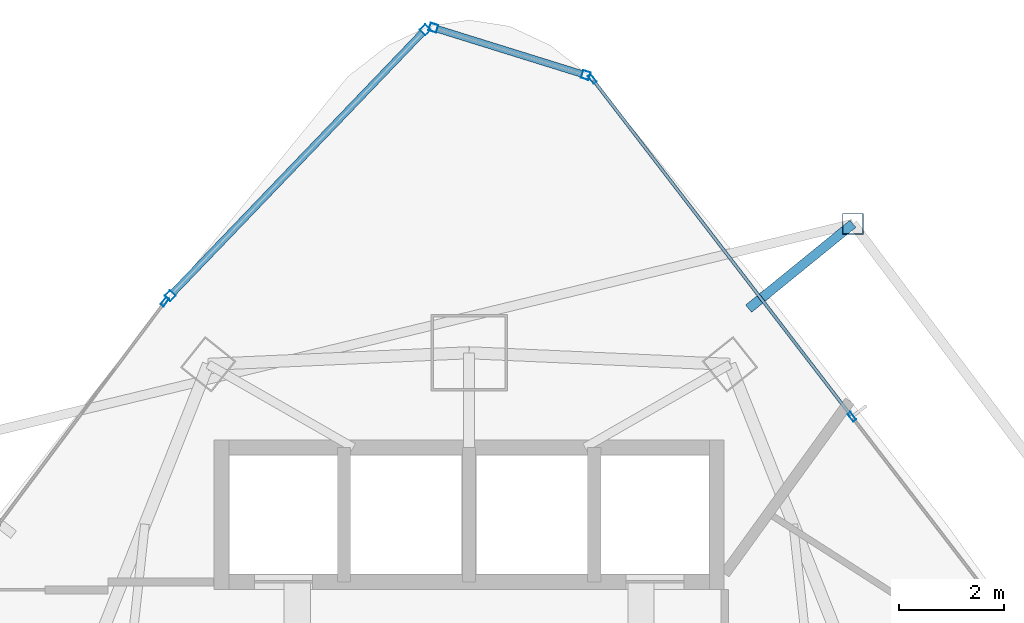
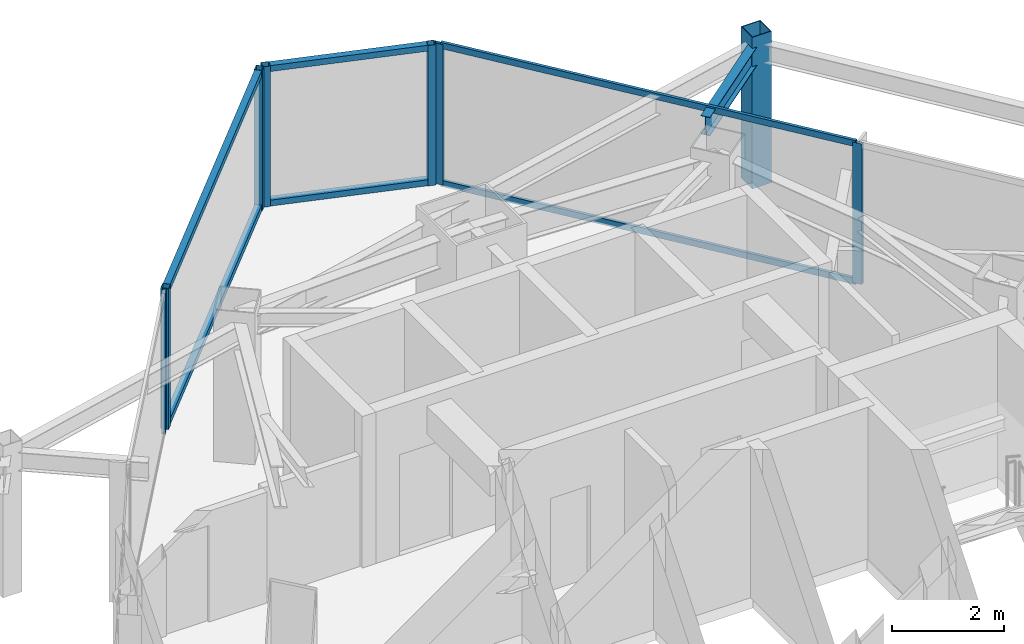
# One storey, part 21 of 29: 14 members, 1 beam, 4 elements without a shape of their own.
"""IFC4 building model written with IfcOpenShell, lengths in metres."""

from ifc_helpers import new_model, si_unit, direction, frame, origin, origin_2d, place, context, subcontext, project, spatial, hollow_rectangle, i_section, extrude, material, layer, layer_set, material_profile, profile_set, type_object, element, aggregate, save


model = new_model("IFC4")

# Units and contexts
model_context = context("Model", 3, precision=1e-05, world=origin(), true_north=direction((0.0, 1.0)))
body_context = subcontext(model_context, "Body", "Model", "MODEL_VIEW")
ifc_project = project(units=[si_unit("LENGTHUNIT", "METRE"), si_unit("AREAUNIT", "SQUARE_METRE"), si_unit("VOLUMEUNIT", "CUBIC_METRE"), si_unit("PLANEANGLEUNIT", "RADIAN"), si_unit("MASSUNIT", "GRAM", prefix="KILO")], contexts=[model_context])

# Site, building, storey
site_placement = place(None, origin())
site = spatial("IfcSite", under=ifc_project, at=site_placement, CompositionType="ELEMENT")
building_placement = place(site_placement, origin())
building = spatial("IfcBuilding", under=site, at=building_placement, Name="Orvanel Arch Residences", CompositionType="ELEMENT")
storey_placement = place(building_placement, frame((0.0, 0.0, 173.75)))
storey = spatial("IfcBuildingStorey", under=building, at=storey_placement, Name="L49", CompositionType="ELEMENT", Elevation=173.75)

# Curtain wall, members
ifc_material_1 = material(Name="Bronze-anodised aluminium AA6063-T6", Category="aluminium")
ifc_layer_1 = layer(ifc_material_1, 0.18994140625)
ifc_layer_set_1 = layer_set([ifc_layer_1], Name="Bronze-anodised aluminium AA6063-T6")
curtain_wall_type_1 = type_object("IfcCurtainWallType", Name="CW5-CRN-SYS", PredefinedType="NOTDEFINED", material=ifc_layer_set_1)
curtain_wall_1_placement = place(storey_placement, origin())
curtain_wall_1 = element("IfcCurtainWall", 1, at=curtain_wall_1_placement, inside=storey, type_object=curtain_wall_type_1, Name="L49 CW5-CRN-SYS Unitised Curtain Wall", PredefinedType="NOTDEFINED")
ifc_material_profile_1 = material_profile(ifc_material_1, hollow_rectangle(XDim=0.14990234375, YDim=0.14990234375, WallThickness=0.0048828125, at=origin_2d()), Name="ALU150x150x5")
ifc_profile_set_1 = profile_set([ifc_material_profile_1], Name="Bronze-anodised aluminium AA6063-T6")
member_type_1 = type_object("IfcMemberType", Name="MUL-150x150", PredefinedType="MULLION", material=ifc_profile_set_1)
member_1_placement = place(storey_placement, frame((35.21337890625, 46.665283203125, 0.0), z_axis=(0.0, 0.0, 1.0), x_axis=(-0.29709205857, -0.954848840778, 0.0)))
member_1 = element("IfcMember", 2, at=member_1_placement, type_object=member_type_1, Name="CW-S5 mullion 1", PredefinedType="MULLION", context=body_context, shape_type="SweptSolid", body=[
    extrude(hollow_rectangle(XDim=0.14990234375, YDim=0.14990234375, WallThickness=0.0048828125, at=origin_2d()), origin(), (0.0, 0.0, 1.0), 3.06005859375),
])
member_2_placement = place(storey_placement, frame((32.322509765625, 47.564697265625, 0.0), z_axis=(0.0, 0.0, 1.0), x_axis=(-0.29709205857, -0.954848840778, 0.0)))
member_2 = element("IfcMember", 3, at=member_2_placement, type_object=member_type_1, Name="CW-S5 mullion 2", PredefinedType="MULLION", context=body_context, shape_type="SweptSolid", body=[
    extrude(hollow_rectangle(XDim=0.14990234375, YDim=0.14990234375, WallThickness=0.0048828125, at=origin_2d()), origin(), (0.0, 0.0, 1.0), 3.06005859375),
])

curtain_wall_2_placement = place(storey_placement, origin())
curtain_wall_2 = element("IfcCurtainWall", 4, at=curtain_wall_2_placement, inside=storey, type_object=curtain_wall_type_1, Name="L49 CW5-CRN-SYS Unitised Curtain Wall", PredefinedType="NOTDEFINED")
member_3_placement = place(storey_placement, frame((32.166015625, 47.52490234375, 0.0), z_axis=(0.0, 0.0, 1.0), x_axis=(0.721655878647, -0.692251972055, 0.0)))
member_3 = element("IfcMember", 5, at=member_3_placement, type_object=member_type_1, Name="CW-S5 mullion 1", PredefinedType="MULLION", context=body_context, shape_type="SweptSolid", body=[
    extrude(hollow_rectangle(XDim=0.14990234375, YDim=0.14990234375, WallThickness=0.0048828125, at=origin_2d()), origin(), (0.0, 0.0, 1.0), 3.06005859375),
])
member_4_placement = place(storey_placement, frame((27.325927734375, 42.47900390625, 0.0), z_axis=(0.0, 0.0, 1.0), x_axis=(0.721655878647, -0.692251972055, 0.0)))
member_4 = element("IfcMember", 6, at=member_4_placement, type_object=member_type_1, Name="CW-S5 mullion 2", PredefinedType="MULLION", context=body_context, shape_type="SweptSolid", body=[
    extrude(hollow_rectangle(XDim=0.14990234375, YDim=0.14990234375, WallThickness=0.0048828125, at=origin_2d()), origin(), (0.0, 0.0, 1.0), 3.06005859375),
])

# Curtain wall, member
ifc_layer_2 = layer(ifc_material_1, 0.179931640625)
ifc_layer_set_2 = layer_set([ifc_layer_2], Name="Bronze-anodised aluminium AA6063-T6")
curtain_wall_type_2 = type_object("IfcCurtainWallType", Name="CW3-MID-SYS", PredefinedType="NOTDEFINED", material=ifc_layer_set_2)
curtain_wall_3_placement = place(storey_placement, origin())
curtain_wall_3 = element("IfcCurtainWall", 7, at=curtain_wall_3_placement, inside=storey, type_object=curtain_wall_type_2, Name="L49 CW3-MID-SYS Unitised Curtain Wall", PredefinedType="NOTDEFINED")
ifc_material_profile_2 = material_profile(ifc_material_1, hollow_rectangle(XDim=0.070068359375, YDim=0.179931640625, WallThickness=0.00439453125, at=origin_2d()), Name="ALU180x70x4.5")
ifc_profile_set_2 = profile_set([ifc_material_profile_2], Name="Bronze-anodised aluminium AA6063-T6")
member_type_2 = type_object("IfcMemberType", Name="MUL-180x70", PredefinedType="MULLION", material=ifc_profile_set_2)
member_5_placement = place(storey_placement, frame((27.22705078125, 42.366943359375, 0.0), z_axis=(0.0, 0.0, 1.0), x_axis=(0.801287325771, -0.598279718492, 0.0)))
member_5 = element("IfcMember", 8, at=member_5_placement, type_object=member_type_2, Name="CW-S3 mullion 1", PredefinedType="MULLION", context=body_context, shape_type="SweptSolid", body=[
    extrude(hollow_rectangle(XDim=0.070068359375, YDim=0.179931640625, WallThickness=0.00439453125, at=origin_2d()), origin(), (0.0, 0.0, 1.0), 3.06005859375),
])
aggregate(curtain_wall_3, [member_5])

# Curtain wall, members
curtain_wall_4_placement = place(storey_placement, origin())
curtain_wall_4 = element("IfcCurtainWall", 9, at=curtain_wall_4_placement, inside=storey, type_object=curtain_wall_type_2, Name="L49 CW3-MID-SYS Unitised Curtain Wall", PredefinedType="NOTDEFINED")
member_6_placement = place(storey_placement, frame((40.263916015625, 40.181884765625, 0.0), z_axis=(0.0, 0.0, 1.0), x_axis=(-0.792926030176, -0.60931790608, 0.0)))
member_6 = element("IfcMember", 10, at=member_6_placement, type_object=member_type_2, Name="CW-S3 mullion 2", PredefinedType="MULLION", context=body_context, shape_type="SweptSolid", body=[
    extrude(hollow_rectangle(XDim=0.070068359375, YDim=0.179931640625, WallThickness=0.00439453125, at=origin_2d()), origin(), (0.0, 0.0, 1.0), 3.06005859375),
])
member_7_placement = place(storey_placement, frame((35.33740234375, 46.59326171875, 0.0), z_axis=(0.0, 0.0, 1.0), x_axis=(-0.792926030176, -0.60931790608, 0.0)))
member_7 = element("IfcMember", 11, at=member_7_placement, type_object=member_type_2, Name="CW-S3 mullion 3", PredefinedType="MULLION", context=body_context, shape_type="SweptSolid", body=[
    extrude(hollow_rectangle(XDim=0.070068359375, YDim=0.179931640625, WallThickness=0.00439453125, at=origin_2d()), origin(), (0.0, 0.0, 1.0), 3.06005859375),
])

# Beam
ifc_material_2 = material(Name="Structural steel AS/NZS 3679.1 Grade 300 (300 MPa)", Category="steel")
ifc_material_profile_3 = material_profile(ifc_material_2, i_section(OverallWidth=0.177978515625, OverallDepth=0.406005859375, WebThickness=0.0078125, FlangeThickness=0.0126953125, at=origin_2d()), Name="410UB59.7")
ifc_profile_set_3 = profile_set([ifc_material_profile_3], Name="Structural steel AS/NZS 3679.1 Grade 300 (300 MPa)")
beam_type = type_object("IfcBeamType", Name="OB-410UB-EXT", PredefinedType="SPANDREL", material=ifc_profile_set_3)
beam_placement = place(storey_placement, frame((38.303955078125, 42.235107421875, 2.85693359375), z_axis=(0.775779999629, 0.63100348032, 0.0), x_axis=(-0.63100348032, 0.775779999629, 0.0)))
element("IfcBeam", 12, at=beam_placement, inside=storey, type_object=beam_type, Name="L49 Outer Frame Radial Tie Beam 12", PredefinedType="SPANDREL", context=body_context, shape_type="SweptSolid", body=[
    extrude(i_section(OverallWidth=0.177978515625, OverallDepth=0.406005859375, WebThickness=0.0078125, FlangeThickness=0.0126953125, at=origin_2d()), origin(), (0.0, 0.0, 1.0), 2.5498046875),
])

# Member
ifc_material_3 = material(Name="Structural steel AS/NZS 1163 C450L0 (Grade 450)", Category="steel")
ifc_material_profile_4 = material_profile(ifc_material_3, hollow_rectangle(XDim=0.39990234375, YDim=0.39990234375, WallThickness=0.01611328125, at=origin_2d()), Name="SHS400x400x16")
ifc_profile_set_4 = profile_set([ifc_material_profile_4], Name="Structural steel AS/NZS 1163 C450L0 (Grade 450)")
member_type_3 = type_object("IfcMemberType", Name="ST-400SHS-EXT", PredefinedType="STRUT", material=ifc_profile_set_4)
member_8_placement = place(storey_placement, frame((40.281982421875, 43.843994140625, 0.0), z_axis=(0.0, 0.0, 1.0), x_axis=(1.0, 0.0, 0.0)))
element("IfcMember", 13, at=member_8_placement, inside=storey, type_object=member_type_3, Name="L49 Outer Perimeter Frame Post 12", PredefinedType="STRUT", context=body_context, shape_type="SweptSolid", body=[
    extrude(hollow_rectangle(XDim=0.39990234375, YDim=0.39990234375, WallThickness=0.01611328125, at=origin_2d()), origin(), (0.0, 0.0, 1.0), 3.300048828125),
])

ifc_material_profile_5 = material_profile(ifc_material_1, hollow_rectangle(XDim=0.1298828125, YDim=0.1298828125, WallThickness=0.00439453125, at=origin_2d()), Name="ALU130x130x4.5")
ifc_profile_set_5 = profile_set([ifc_material_profile_5], Name="Bronze-anodised aluminium AA6063-T6")
member_type_4 = type_object("IfcMemberType", Name="TRN-130x130", PredefinedType="USERDEFINED", material=ifc_profile_set_5)
member_9_placement = place(storey_placement, frame((35.141845703125, 46.6875, 0.06494140625), z_axis=(-0.954838590876, 0.297124999578, 0.0), x_axis=(-0.297124999578, -0.954838590876, 0.0)))
member_9 = element("IfcMember", 14, at=member_9_placement, type_object=member_type_4, Name="CW-S5 transom 1.1", ObjectType="TRANSOM", PredefinedType="USERDEFINED", context=body_context, shape_type="SweptSolid", body=[
    extrude(hollow_rectangle(XDim=0.1298828125, YDim=0.1298828125, WallThickness=0.00439453125, at=origin_2d()), origin(), (0.0, 0.0, 1.0), 2.87744140625),
])

member_10_placement = place(storey_placement, frame((35.141845703125, 46.6875, 2.9951171875), z_axis=(-0.954838590876, 0.297124999578, 0.0), x_axis=(-0.297124999578, -0.954838590876, 0.0)))
member_10 = element("IfcMember", 15, at=member_10_placement, type_object=member_type_4, Name="CW-S5 transom 1.2", ObjectType="TRANSOM", PredefinedType="USERDEFINED", context=body_context, shape_type="SweptSolid", body=[
    extrude(hollow_rectangle(XDim=0.1298828125, YDim=0.1298828125, WallThickness=0.00439453125, at=origin_2d()), origin(), (0.0, 0.0, 1.0), 2.87744140625),
])

aggregate(curtain_wall_1, [member_1, member_2, member_9, member_10])

member_11_placement = place(storey_placement, frame((32.1142578125, 47.470703125, 0.06494140625), z_axis=(-0.692252491269, -0.721655380589, 0.0), x_axis=(0.721655380589, -0.692252491269, 0.0)))
member_11 = element("IfcMember", 16, at=member_11_placement, type_object=member_type_4, Name="CW-S5 transom 1.1", ObjectType="TRANSOM", PredefinedType="USERDEFINED", context=body_context, shape_type="SweptSolid", body=[
    extrude(hollow_rectangle(XDim=0.1298828125, YDim=0.1298828125, WallThickness=0.00439453125, at=origin_2d()), origin(), (0.0, 0.0, 1.0), 6.841796875),
])

member_12_placement = place(storey_placement, frame((32.1142578125, 47.470703125, 2.9951171875), z_axis=(-0.692252491269, -0.721655380589, 0.0), x_axis=(0.721655380589, -0.692252491269, 0.0)))
member_12 = element("IfcMember", 17, at=member_12_placement, type_object=member_type_4, Name="CW-S5 transom 1.2", ObjectType="TRANSOM", PredefinedType="USERDEFINED", context=body_context, shape_type="SweptSolid", body=[
    extrude(hollow_rectangle(XDim=0.1298828125, YDim=0.1298828125, WallThickness=0.00439453125, at=origin_2d()), origin(), (0.0, 0.0, 1.0), 6.841796875),
])

aggregate(curtain_wall_2, [member_3, member_4, member_11, member_12])

ifc_material_profile_6 = material_profile(ifc_material_1, hollow_rectangle(XDim=0.06005859375, YDim=0.135009765625, WallThickness=0.00390625, at=origin_2d()), Name="ALU135x60x4")
ifc_profile_set_6 = profile_set([ifc_material_profile_6], Name="Bronze-anodised aluminium AA6063-T6")
member_type_5 = type_object("IfcMemberType", Name="TRN-135x60", PredefinedType="USERDEFINED", material=ifc_profile_set_6)
member_13_placement = place(storey_placement, frame((40.24267578125, 40.209716796875, 0.030029296875), z_axis=(-0.609320615479, 0.792923948151, 0.0), x_axis=(-0.792923948151, -0.609320615479, 0.0)))
member_13 = element("IfcMember", 18, at=member_13_placement, type_object=member_type_5, Name="CW-S3 transom 2.1", ObjectType="TRANSOM", PredefinedType="USERDEFINED", context=body_context, shape_type="SweptSolid", body=[
    extrude(hollow_rectangle(XDim=0.06005859375, YDim=0.135009765625, WallThickness=0.00390625, at=origin_2d()), origin(), (0.0, 0.0, 1.0), 8.015625),
])

member_14_placement = place(storey_placement, frame((40.24267578125, 40.209716796875, 3.030029296875), z_axis=(-0.609320615479, 0.792923948151, 0.0), x_axis=(-0.792923948151, -0.609320615479, 0.0)))
member_14 = element("IfcMember", 19, at=member_14_placement, type_object=member_type_5, Name="CW-S3 transom 2.2", ObjectType="TRANSOM", PredefinedType="USERDEFINED", context=body_context, shape_type="SweptSolid", body=[
    extrude(hollow_rectangle(XDim=0.06005859375, YDim=0.135009765625, WallThickness=0.00390625, at=origin_2d()), origin(), (0.0, 0.0, 1.0), 8.015625),
])

aggregate(curtain_wall_4, [member_6, member_7, member_13, member_14])

save(model, "model.ifc")
